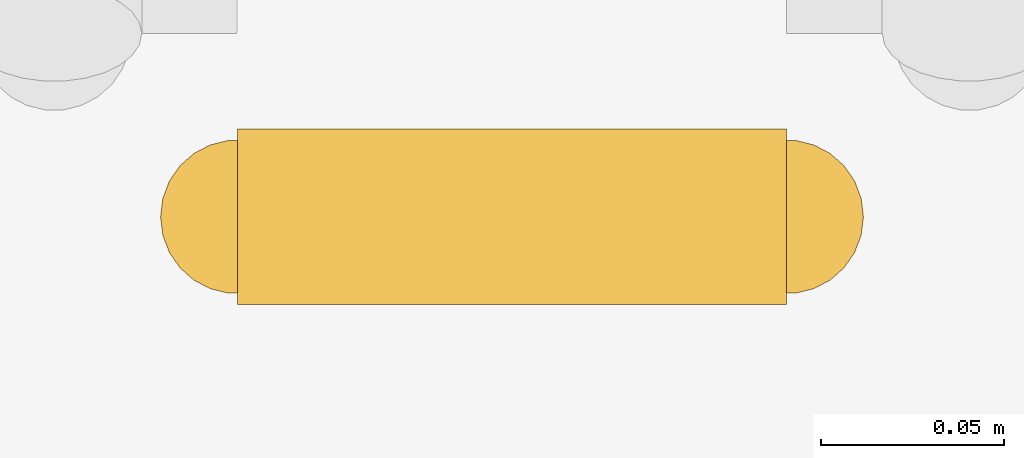
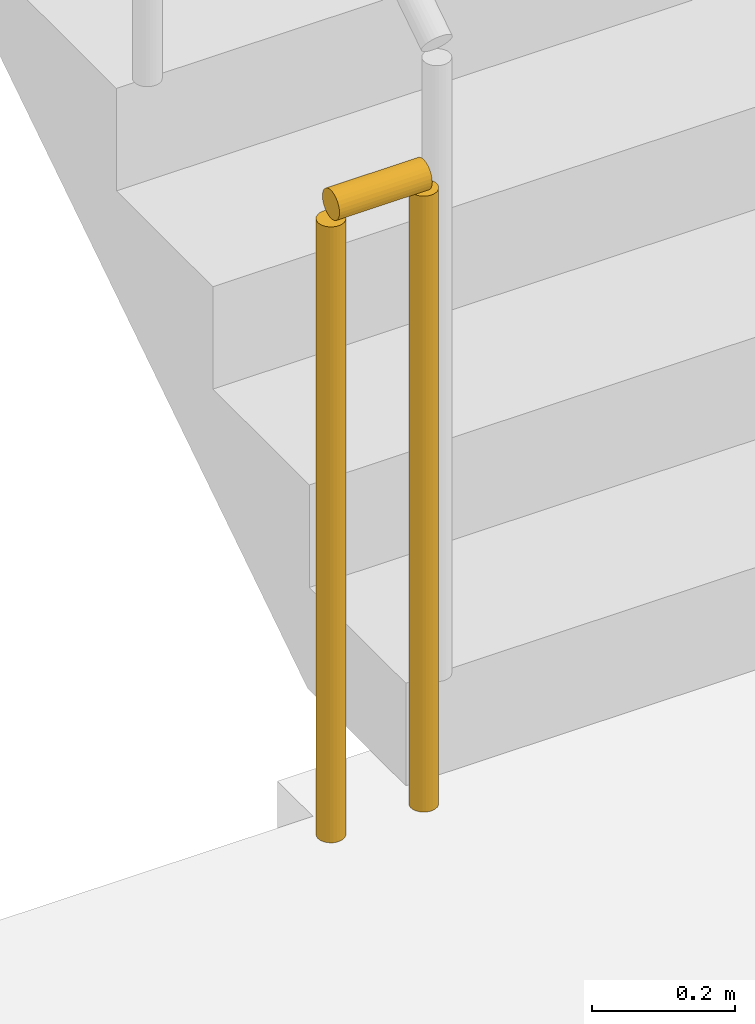
# One storey, part 14 of 19: 1 railing.
"""IFC4 building model written with IfcOpenShell, lengths in metres."""

from ifc_helpers import new_model, si_unit, direction, frame, origin, origin_2d, place, context, subcontext, project, spatial, circle, extrude, material, type_object, element, save


model = new_model("IFC4")

# Units and contexts
model_context = context("Model", 3, precision=1e-05, world=origin(), true_north=direction((0.0, 1.0)))
body_context = subcontext(model_context, "Body", "Model", "MODEL_VIEW")
ifc_project = project(units=[si_unit("LENGTHUNIT", "METRE"), si_unit("AREAUNIT", "SQUARE_METRE"), si_unit("VOLUMEUNIT", "CUBIC_METRE"), si_unit("PLANEANGLEUNIT", "RADIAN"), si_unit("MASSUNIT", "GRAM", prefix="KILO")], contexts=[model_context])

# Site, building, storey
site_placement = place(None, origin())
site = spatial("IfcSite", under=ifc_project, at=site_placement, CompositionType="ELEMENT")
building_placement = place(site_placement, origin())
building = spatial("IfcBuilding", under=site, at=building_placement, Name="Saffron Iwan Residences", CompositionType="ELEMENT")
storey_placement = place(building_placement, frame((0.0, 0.0, 120.0)))
storey = spatial("IfcBuildingStorey", under=building, at=storey_placement, Name="L31", CompositionType="ELEMENT", Elevation=120.0)

# Railing
ifc_material = material(Name="Steel S355", Category="steel")
railing_type = type_object("IfcRailingType", Name="Stair guard 1100", PredefinedType="GUARDRAIL", material=ifc_material)
railing_placement = place(storey_placement, frame((31.25, 67.800048828125, 0.0)))
element("IfcRailing", 1, at=railing_placement, inside=storey, type_object=railing_type, Name="L31 ST-W stair guard 2", PredefinedType="GUARDRAIL", context=body_context, shape_type="SweptSolid", body=[
    extrude(circle(Radius=0.02392578125, at=origin_2d()), frame((0.0, 0.0, 1.076171875), z_axis=(-1.0, 0.0, 0.0), x_axis=(0.0, -1.0, 0.0)), (0.0, 0.0, 1.0), 0.14990234375),
    extrude(circle(Radius=0.02099609375, at=origin_2d()), origin(), (0.0, 0.0, 1.0), 1.052001953125),
    extrude(circle(Radius=0.02099609375, at=origin_2d()), frame((-0.14990234375, 0.0, 0.0)), (0.0, 0.0, 1.0), 1.052001953125),
])

save(model, "model.ifc")
